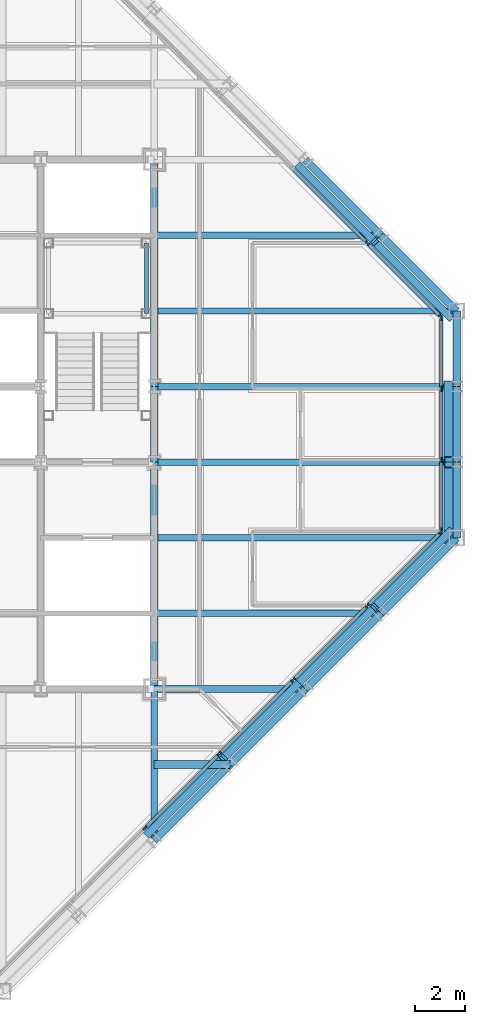
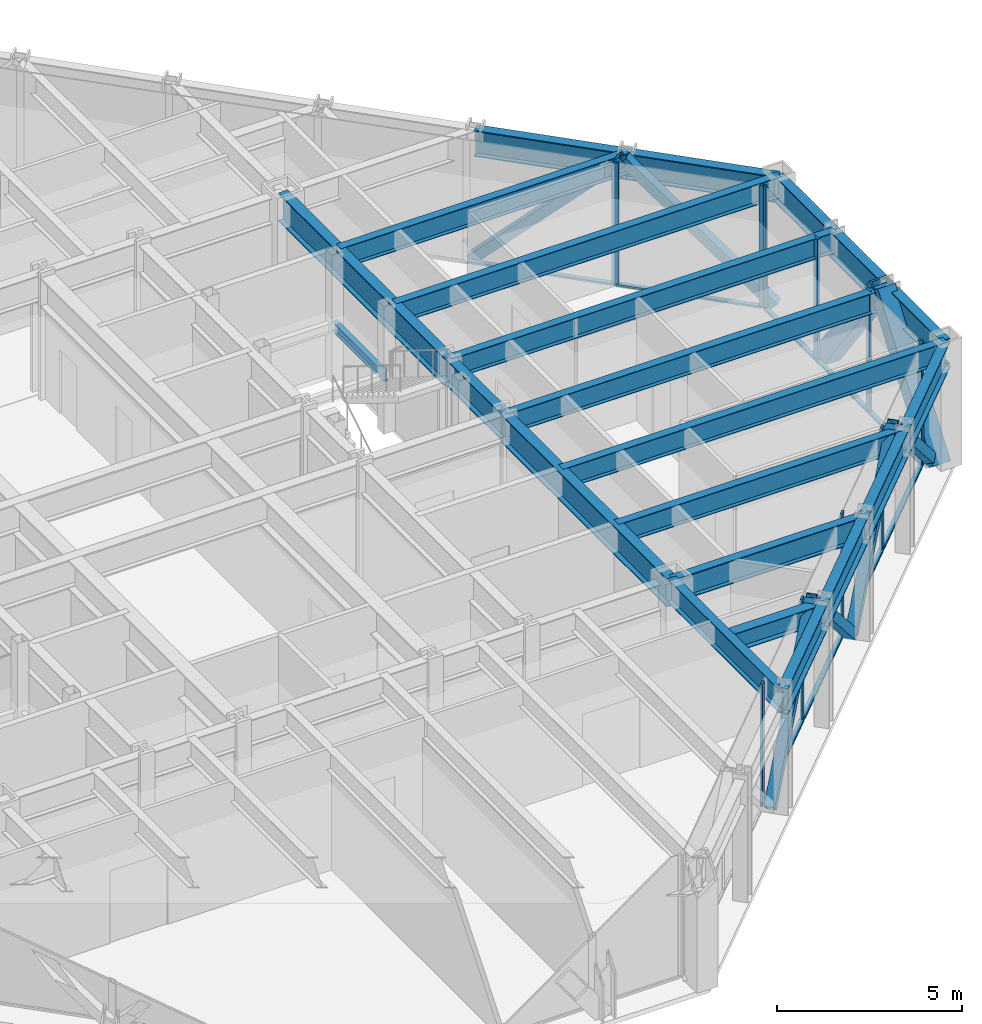
# One storey, part 7 of 15: 28 members, 22 beams, 3 elements without a shape of their own.
"""IFC4 building model written with IfcOpenShell, lengths in metres."""

from ifc_helpers import new_model, si_unit, direction, frame, origin, origin_2d, place, context, subcontext, project, spatial, rectangle, hollow_rectangle, i_section, extrude, material, layer, layer_set, material_profile, profile_set, type_object, element, aggregate, save


model = new_model("IFC4")

# Units and contexts
model_context = context("Model", 3, precision=1e-05, world=origin(), true_north=direction((0.0, 1.0)))
body_context = subcontext(model_context, "Body", "Model", "MODEL_VIEW")
ifc_project = project(units=[si_unit("LENGTHUNIT", "METRE"), si_unit("AREAUNIT", "SQUARE_METRE"), si_unit("VOLUMEUNIT", "CUBIC_METRE"), si_unit("PLANEANGLEUNIT", "RADIAN"), si_unit("MASSUNIT", "GRAM", prefix="KILO")], contexts=[model_context])

# Site, building, storey
site_placement = place(None, origin())
site = spatial("IfcSite", under=ifc_project, at=site_placement, CompositionType="ELEMENT")
building_placement = place(site_placement, origin())
building = spatial("IfcBuilding", under=site, at=building_placement, Name="Chuquiago Exchange Tower", CompositionType="ELEMENT")
storey_placement = place(building_placement, frame((0.0, 0.0, 266.39990234375)))
storey = spatial("IfcBuildingStorey", under=building, at=storey_placement, Name="L59", CompositionType="ELEMENT", Elevation=266.39990234375)

# Beams
ifc_material_1 = material(Name="Steel ASTM A992", Category="steel")
ifc_material_profile_1 = material_profile(ifc_material_1, i_section(OverallWidth=0.25390625, OverallDepth=0.683349609375, WebThickness=0.012451171875, FlangeThickness=0.018798828125, at=origin_2d()), Name="W27X94")
ifc_profile_set_1 = profile_set([ifc_material_profile_1], Name="Steel ASTM A992")
beam_type_1 = type_object("IfcBeamType", Name="B1 W27X94", PredefinedType="BEAM", material=ifc_profile_set_1)
beam_1_placement = place(storey_placement, frame((33.0, 15.0, 3.698486328125), z_axis=(1.0, 0.0, 0.0), x_axis=(0.0, 1.0, 0.0)))
element("IfcBeam", 1, at=beam_1_placement, inside=storey, type_object=beam_type_1, Name="FB-L60-infill-33_15-42_15-0", PredefinedType="BEAM", context=body_context, shape_type="SweptSolid", body=[
    extrude(i_section(OverallWidth=0.25390625, OverallDepth=0.683349609375, WebThickness=0.012451171875, FlangeThickness=0.018798828125, at=origin_2d()), origin(), (0.0, 0.0, 1.0), 9.0),
])
for number, where, z_axis, x_axis, name in (
    (2, (33.0, 18.0, 3.698486328125), (1.0, 0.0, 0.0), (0.0, 1.0, 0.0), "FB-L60-infill-33_18-45_18-0"),
    (3, (33.0, 21.0, 3.698486328125), (1.0, 0.0, 0.0), (0.0, 1.0, 0.0), "FB-L60-infill-33_21-45_21-0"),
    (4, (33.0, 24.0, 3.698486328125), (1.0, 0.0, 0.0), (0.0, 1.0, 0.0), "FB-L60-infill-33_24-45_24-0"),
    (5, (33.0, 27.0, 3.698486328125), (1.0, 0.0, 0.0), (0.0, 1.0, 0.0), "FB-L60-infill-33_27-45_27-0"),
):
    element("IfcBeam", number, at=place(storey_placement, frame(where, z_axis=z_axis, x_axis=x_axis)), inside=storey, type_object=beam_type_1, Name=name, PredefinedType="BEAM", context=body_context, shape_type="SweptSolid", body=[
        extrude(i_section(OverallWidth=0.25390625, OverallDepth=0.683349609375, WebThickness=0.012451171875, FlangeThickness=0.018798828125, at=origin_2d()), origin(), (0.0, 0.0, 1.0), 12.0),
    ])
beam_2_placement = place(storey_placement, frame((33.0, 30.0, 3.698486328125), z_axis=(1.0, 0.0, 0.0), x_axis=(0.0, 1.0, 0.0)))
element("IfcBeam", 6, at=beam_2_placement, inside=storey, type_object=beam_type_1, Name="FB-L60-infill-33_30-42_30-0", PredefinedType="BEAM", context=body_context, shape_type="SweptSolid", body=[
    extrude(i_section(OverallWidth=0.25390625, OverallDepth=0.683349609375, WebThickness=0.012451171875, FlangeThickness=0.018798828125, at=origin_2d()), origin(), (0.0, 0.0, 1.0), 9.0),
])
ifc_material_2 = material(Name="Steel ASTM A992", Category="steel")
ifc_material_profile_2 = material_profile(ifc_material_2, i_section(OverallWidth=0.307373046875, OverallDepth=0.927001953125, WebThickness=0.01953125, FlangeThickness=0.031982421875, at=origin_2d()), Name="W36X194")
ifc_profile_set_2 = profile_set([ifc_material_profile_2], Name="Steel ASTM A992")
beam_type_2 = type_object("IfcBeamType", Name="B10 W36X194", PredefinedType="BEAM", material=ifc_profile_set_2)
for number, where, z_axis, x_axis, name in (
    (7, (33.0, 12.0, 3.576416015625), (0.0, 1.0, 0.0), (-1.0, 0.0, 0.0), "CB-L60-33_12-33_21"),
    (8, (33.0, 24.0, 3.576416015625), (0.0, 1.0, 0.0), (-1.0, 0.0, 0.0), "CB-L60-33_24-33_33"),
):
    element("IfcBeam", number, at=place(storey_placement, frame(where, z_axis=z_axis, x_axis=x_axis)), inside=storey, type_object=beam_type_2, Name=name, PredefinedType="BEAM", context=body_context, shape_type="SweptSolid", body=[
        extrude(i_section(OverallWidth=0.307373046875, OverallDepth=0.927001953125, WebThickness=0.01953125, FlangeThickness=0.031982421875, at=origin_2d()), origin(), (0.0, 0.0, 1.0), 9.0),
    ])
ifc_material_3 = material(Name="Steel ASTM A992", Category="steel")
ifc_material_profile_3 = material_profile(ifc_material_3, i_section(OverallWidth=0.3251953125, OverallDepth=0.612060546875, WebThickness=0.0126953125, FlangeThickness=0.01904296875, at=origin_2d()), Name="W24X104")
ifc_profile_set_3 = profile_set([ifc_material_profile_3], Name="Steel ASTM A992")
beam_type_3 = type_object("IfcBeamType", Name="B2 W24X104", PredefinedType="BEAM", material=ifc_profile_set_3)
beam_3_placement = place(storey_placement, frame((33.0, 9.0, 3.73388671875), z_axis=(1.0, 0.0, 0.0), x_axis=(0.0, 1.0, 0.0)))
element("IfcBeam", 9, at=beam_3_placement, inside=storey, type_object=beam_type_3, Name="FB-L60-corner-33_9-36_9-0", PredefinedType="BEAM", context=body_context, shape_type="SweptSolid", body=[
    extrude(i_section(OverallWidth=0.3251953125, OverallDepth=0.612060546875, WebThickness=0.0126953125, FlangeThickness=0.01904296875, at=origin_2d()), origin(), (0.0, 0.0, 1.0), 3.0),
])
ifc_material_4 = material(Name="Steel ASTM A992", Category="steel")
ifc_material_profile_4 = material_profile(ifc_material_4, i_section(OverallWidth=0.2919921875, OverallDepth=0.8583984375, WebThickness=0.01708984375, FlangeThickness=0.031005859375, at=origin_2d()), Name="W33X169")
ifc_profile_set_4 = profile_set([ifc_material_profile_4], Name="Steel ASTM A992")
beam_type_4 = type_object("IfcBeamType", Name="B3 W33X169", PredefinedType="BEAM", material=ifc_profile_set_4)
beam_4_placement = place(storey_placement, frame((33.0, 21.0, 3.61083984375), z_axis=(0.0, 1.0, 0.0), x_axis=(-1.0, 0.0, 0.0)))
element("IfcBeam", 10, at=beam_4_placement, inside=storey, type_object=beam_type_4, Name="CB-L60-33_21-33_24", PredefinedType="BEAM", context=body_context, shape_type="SweptSolid", body=[
    extrude(i_section(OverallWidth=0.2919921875, OverallDepth=0.8583984375, WebThickness=0.01708984375, FlangeThickness=0.031005859375, at=origin_2d()), origin(), (0.0, 0.0, 1.0), 3.0),
])

# Curtain wall, members
ifc_material_5 = material(Name="Aluminium curtain wall system", Category="aluminium")
ifc_layer_1 = layer(ifc_material_5, 0.22509765625)
ifc_layer_set_1 = layer_set([ifc_layer_1], Name="CW2 office curtain wall")
curtain_wall_type_1 = type_object("IfcCurtainWallType", Name="CW2 office curtain wall", PredefinedType="NOTDEFINED", material=ifc_layer_set_1)
curtain_wall_1_placement = place(storey_placement, origin())
curtain_wall_1 = element("IfcCurtainWall", 11, at=curtain_wall_1_placement, inside=storey, type_object=curtain_wall_type_1, Name="CW2 curtain wall L59", PredefinedType="NOTDEFINED")
ifc_material_6 = material(Name="Aluminium mullion, pale anodised", Category="aluminium")
ifc_material_profile_5 = material_profile(ifc_material_6, rectangle(XDim=0.06494140625, YDim=0.22509765625, at=origin_2d()), Name="AL 65x225")
ifc_profile_set_5 = profile_set([ifc_material_profile_5], Name="Aluminium mullion, pale anodised")
member_type_1 = type_object("IfcMemberType", Name="CW2-M mullion 65x225", PredefinedType="MULLION", material=ifc_profile_set_5)
member_1_placement = place(storey_placement, frame((44.39990234375, 18.281005859375, 0.0), z_axis=(0.0, 0.0, 1.0), x_axis=(-1.0, 0.0, 0.0)))
member_1 = element("IfcMember", 12, at=member_1_placement, type_object=member_type_1, Name="CW2 mullion 1", PredefinedType="MULLION", context=body_context, shape_type="SweptSolid", body=[
    extrude(rectangle(XDim=0.06494140625, YDim=0.22509765625, at=origin_2d()), origin(), (0.0, 0.0, 1.0), 4.0400390625),
])
member_2_placement = place(storey_placement, frame((44.39990234375, 21.082763671875, 0.0), z_axis=(0.0, 0.0, 1.0), x_axis=(-1.0, 0.0, 0.0)))
member_2 = element("IfcMember", 13, at=member_2_placement, type_object=member_type_1, Name="CW2 mullion 2", PredefinedType="MULLION", context=body_context, shape_type="SweptSolid", body=[
    extrude(rectangle(XDim=0.06494140625, YDim=0.22509765625, at=origin_2d()), origin(), (0.0, 0.0, 1.0), 4.0400390625),
])
member_3_placement = place(storey_placement, frame((44.39990234375, 23.917236328125, 0.0), z_axis=(0.0, 0.0, 1.0), x_axis=(-1.0, 0.0, 0.0)))
member_3 = element("IfcMember", 14, at=member_3_placement, type_object=member_type_1, Name="CW2 mullion 3", PredefinedType="MULLION", context=body_context, shape_type="SweptSolid", body=[
    extrude(rectangle(XDim=0.06494140625, YDim=0.22509765625, at=origin_2d()), origin(), (0.0, 0.0, 1.0), 4.0400390625),
])
member_4_placement = place(storey_placement, frame((44.39990234375, 26.718994140625, 0.0), z_axis=(0.0, 0.0, 1.0), x_axis=(-1.0, 0.0, 0.0)))
member_4 = element("IfcMember", 15, at=member_4_placement, type_object=member_type_1, Name="CW2 mullion 4", PredefinedType="MULLION", context=body_context, shape_type="SweptSolid", body=[
    extrude(rectangle(XDim=0.06494140625, YDim=0.22509765625, at=origin_2d()), origin(), (0.0, 0.0, 1.0), 4.0400390625),
])
ifc_material_7 = material(Name="Aluminium transom, pale anodised", Category="aluminium")
ifc_material_profile_6 = material_profile(ifc_material_7, rectangle(XDim=0.139892578125, YDim=0.06494140625, at=origin_2d()), Name="AL 140x65")
ifc_profile_set_6 = profile_set([ifc_material_profile_6], Name="Aluminium transom, pale anodised")
member_type_2 = type_object("IfcMemberType", Name="CW2-T transom 65x140", PredefinedType="MULLION", material=ifc_profile_set_6)
member_5_placement = place(storey_placement, frame((44.39990234375, 18.3134765625, 0.03271484375), z_axis=(0.0, 1.0, 0.0), x_axis=(-1.0, 0.0, 0.0)))
member_5 = element("IfcMember", 16, at=member_5_placement, type_object=member_type_2, Name="CW2 transom 1.1", PredefinedType="MULLION", context=body_context, shape_type="SweptSolid", body=[
    extrude(rectangle(XDim=0.139892578125, YDim=0.06494140625, at=origin_2d()), origin(), (0.0, 0.0, 1.0), 2.73681640625),
])
member_6_placement = place(storey_placement, frame((44.39990234375, 21.115234375, 0.03271484375), z_axis=(0.0, 1.0, 0.0), x_axis=(-1.0, 0.0, 0.0)))
member_6 = element("IfcMember", 17, at=member_6_placement, type_object=member_type_2, Name="CW2 transom 2.1", PredefinedType="MULLION", context=body_context, shape_type="SweptSolid", body=[
    extrude(rectangle(XDim=0.139892578125, YDim=0.06494140625, at=origin_2d()), origin(), (0.0, 0.0, 1.0), 2.76953125),
])
member_7_placement = place(storey_placement, frame((44.39990234375, 23.94970703125, 0.03271484375), z_axis=(0.0, 1.0, 0.0), x_axis=(-1.0, 0.0, 0.0)))
member_7 = element("IfcMember", 18, at=member_7_placement, type_object=member_type_2, Name="CW2 transom 3.1", PredefinedType="MULLION", context=body_context, shape_type="SweptSolid", body=[
    extrude(rectangle(XDim=0.139892578125, YDim=0.06494140625, at=origin_2d()), origin(), (0.0, 0.0, 1.0), 2.73681640625),
])
aggregate(curtain_wall_1, [member_1, member_2, member_3, member_4, member_5, member_6, member_7])

ifc_material_8 = material(Name="Aluminium curtain wall system", Category="aluminium")
ifc_layer_2 = layer(ifc_material_8, 0.199951171875)
ifc_layer_set_2 = layer_set([ifc_layer_2], Name="CW3 facet curtain wall")
curtain_wall_type_2 = type_object("IfcCurtainWallType", Name="CW3 facet curtain wall", PredefinedType="NOTDEFINED", material=ifc_layer_set_2)
curtain_wall_2_placement = place(storey_placement, origin())
curtain_wall_2 = element("IfcCurtainWall", 19, at=curtain_wall_2_placement, inside=storey, type_object=curtain_wall_type_2, Name="CW3 curtain wall L59", PredefinedType="NOTDEFINED")
ifc_material_9 = material(Name="Aluminium mullion, pale anodised", Category="aluminium")
ifc_material_profile_7 = material_profile(ifc_material_9, rectangle(XDim=0.06494140625, YDim=0.199951171875, at=origin_2d()), Name="AL 65x200")
ifc_profile_set_7 = profile_set([ifc_material_profile_7], Name="Aluminium mullion, pale anodised")
member_type_3 = type_object("IfcMemberType", Name="CW3-M mullion 65x200", PredefinedType="MULLION", material=ifc_profile_set_7)
member_8_placement = place(storey_placement, frame((32.63427734375, 6.48291015625, 0.0), z_axis=(0.0, 0.0, 1.0), x_axis=(-0.707106781187, 0.707106781187, 0.0)))
member_8 = element("IfcMember", 20, at=member_8_placement, type_object=member_type_3, Name="CW3 mullion 3", PredefinedType="MULLION", context=body_context, shape_type="SweptSolid", body=[
    extrude(rectangle(XDim=0.06494140625, YDim=0.199951171875, at=origin_2d()), origin(), (0.0, 0.0, 1.0), 4.0400390625),
])
member_9_placement = place(storey_placement, frame((35.57568359375, 9.42431640625, 0.0), z_axis=(0.0, 0.0, 1.0), x_axis=(-0.707106781187, 0.707106781187, 0.0)))
member_9 = element("IfcMember", 21, at=member_9_placement, type_object=member_type_3, Name="CW3 mullion 4", PredefinedType="MULLION", context=body_context, shape_type="SweptSolid", body=[
    extrude(rectangle(XDim=0.06494140625, YDim=0.199951171875, at=origin_2d()), origin(), (0.0, 0.0, 1.0), 4.0400390625),
])
member_10_placement = place(storey_placement, frame((38.51708984375, 12.36572265625, 0.0), z_axis=(0.0, 0.0, 1.0), x_axis=(-0.707106781187, 0.707106781187, 0.0)))
member_10 = element("IfcMember", 22, at=member_10_placement, type_object=member_type_3, Name="CW3 mullion 5", PredefinedType="MULLION", context=body_context, shape_type="SweptSolid", body=[
    extrude(rectangle(XDim=0.06494140625, YDim=0.199951171875, at=origin_2d()), origin(), (0.0, 0.0, 1.0), 4.0400390625),
])
member_11_placement = place(storey_placement, frame((41.45849609375, 15.30712890625, 0.0), z_axis=(0.0, 0.0, 1.0), x_axis=(-0.707106781187, 0.707106781187, 0.0)))
member_11 = element("IfcMember", 23, at=member_11_placement, type_object=member_type_3, Name="CW3 mullion 6", PredefinedType="MULLION", context=body_context, shape_type="SweptSolid", body=[
    extrude(rectangle(XDim=0.06494140625, YDim=0.199951171875, at=origin_2d()), origin(), (0.0, 0.0, 1.0), 4.0400390625),
])
member_12_placement = place(storey_placement, frame((44.376953125, 18.2255859375, 0.0), z_axis=(0.0, 0.0, 1.0), x_axis=(-0.707106781187, 0.707106781187, 0.0)))
member_12 = element("IfcMember", 24, at=member_12_placement, type_object=member_type_3, Name="CW3 mullion 7", PredefinedType="MULLION", context=body_context, shape_type="SweptSolid", body=[
    extrude(rectangle(XDim=0.06494140625, YDim=0.199951171875, at=origin_2d()), origin(), (0.0, 0.0, 1.0), 4.0400390625),
])

curtain_wall_3_placement = place(storey_placement, origin())
curtain_wall_3 = element("IfcCurtainWall", 25, at=curtain_wall_3_placement, inside=storey, type_object=curtain_wall_type_2, Name="CW3 curtain wall L59", PredefinedType="NOTDEFINED")
member_13_placement = place(storey_placement, frame((44.376953125, 26.7744140625, 0.0), z_axis=(0.0, 0.0, 1.0), x_axis=(-0.707106781187, -0.707106781187, 0.0)))
member_13 = element("IfcMember", 26, at=member_13_placement, type_object=member_type_3, Name="CW3 mullion 1", PredefinedType="MULLION", context=body_context, shape_type="SweptSolid", body=[
    extrude(rectangle(XDim=0.06494140625, YDim=0.199951171875, at=origin_2d()), origin(), (0.0, 0.0, 1.0), 4.0400390625),
])
member_14_placement = place(storey_placement, frame((41.45849609375, 29.69287109375, 0.0), z_axis=(0.0, 0.0, 1.0), x_axis=(-0.707106781187, -0.707106781187, 0.0)))
member_14 = element("IfcMember", 27, at=member_14_placement, type_object=member_type_3, Name="CW3 mullion 2", PredefinedType="MULLION", context=body_context, shape_type="SweptSolid", body=[
    extrude(rectangle(XDim=0.06494140625, YDim=0.199951171875, at=origin_2d()), origin(), (0.0, 0.0, 1.0), 4.0400390625),
])

# Member
ifc_material_10 = material(Name="Aluminium transom, pale anodised", Category="aluminium")
ifc_material_profile_8 = material_profile(ifc_material_10, rectangle(XDim=0.139892578125, YDim=0.06494140625, at=origin_2d()), Name="AL 140x65")
ifc_profile_set_8 = profile_set([ifc_material_profile_8], Name="Aluminium transom, pale anodised")
member_type_4 = type_object("IfcMemberType", Name="CW3-T transom 65x140", PredefinedType="MULLION", material=ifc_profile_set_8)
member_15_placement = place(storey_placement, frame((32.6572265625, 6.505859375, 0.03271484375), z_axis=(0.707106781187, 0.707106781187, 0.0), x_axis=(-0.707106781187, 0.707106781187, 0.0)))
member_15 = element("IfcMember", 28, at=member_15_placement, type_object=member_type_4, Name="CW3 transom 3.1", PredefinedType="MULLION", context=body_context, shape_type="SweptSolid", body=[
    extrude(rectangle(XDim=0.139892578125, YDim=0.06494140625, at=origin_2d()), origin(), (0.0, 0.0, 1.0), 4.094970703125),
])

member_16_placement = place(storey_placement, frame((35.5986328125, 9.447265625, 0.03271484375), z_axis=(0.707106781187, 0.707106781187, 0.0), x_axis=(-0.707106781187, 0.707106781187, 0.0)))
member_16 = element("IfcMember", 29, at=member_16_placement, type_object=member_type_4, Name="CW3 transom 4.1", PredefinedType="MULLION", context=body_context, shape_type="SweptSolid", body=[
    extrude(rectangle(XDim=0.139892578125, YDim=0.06494140625, at=origin_2d()), origin(), (0.0, 0.0, 1.0), 4.094970703125),
])

member_17_placement = place(storey_placement, frame((38.5400390625, 12.388671875, 0.03271484375), z_axis=(0.707106781187, 0.707106781187, 0.0), x_axis=(-0.707106781187, 0.707106781187, 0.0)))
member_17 = element("IfcMember", 30, at=member_17_placement, type_object=member_type_4, Name="CW3 transom 5.1", PredefinedType="MULLION", context=body_context, shape_type="SweptSolid", body=[
    extrude(rectangle(XDim=0.139892578125, YDim=0.06494140625, at=origin_2d()), origin(), (0.0, 0.0, 1.0), 4.094970703125),
])

member_18_placement = place(storey_placement, frame((41.4814453125, 15.330078125, 0.03271484375), z_axis=(0.707106781187, 0.707106781187, 0.0), x_axis=(-0.707106781187, 0.707106781187, 0.0)))
member_18 = element("IfcMember", 31, at=member_18_placement, type_object=member_type_4, Name="CW3 transom 6.1", PredefinedType="MULLION", context=body_context, shape_type="SweptSolid", body=[
    extrude(rectangle(XDim=0.139892578125, YDim=0.06494140625, at=origin_2d()), origin(), (0.0, 0.0, 1.0), 4.0625),
])

aggregate(curtain_wall_2, [member_8, member_9, member_10, member_11, member_12, member_15, member_16, member_17, member_18])

member_19_placement = place(storey_placement, frame((44.35400390625, 26.79736328125, 0.03271484375), z_axis=(-0.707106781187, 0.707106781187, 0.0), x_axis=(-0.707106781187, -0.707106781187, 0.0)))
member_19 = element("IfcMember", 32, at=member_19_placement, type_object=member_type_4, Name="CW3 transom 1.1", PredefinedType="MULLION", context=body_context, shape_type="SweptSolid", body=[
    extrude(rectangle(XDim=0.139892578125, YDim=0.06494140625, at=origin_2d()), origin(), (0.0, 0.0, 1.0), 4.0625),
])

member_20_placement = place(storey_placement, frame((41.435546875, 29.7158203125, 0.03271484375), z_axis=(-0.707106781187, 0.707106781187, 0.0), x_axis=(-0.707106781187, -0.707106781187, 0.0)))
member_20 = element("IfcMember", 33, at=member_20_placement, type_object=member_type_4, Name="CW3 transom 2.1", PredefinedType="MULLION", context=body_context, shape_type="SweptSolid", body=[
    extrude(rectangle(XDim=0.139892578125, YDim=0.06494140625, at=origin_2d()), origin(), (0.0, 0.0, 1.0), 4.094970703125),
])

aggregate(curtain_wall_3, [member_13, member_14, member_19, member_20])

# Beams
ifc_material_11 = material(Name="Steel ASTM A992", Category="steel")
ifc_material_profile_9 = material_profile(ifc_material_11, i_section(OverallWidth=0.2666015625, OverallDepth=0.76953125, WebThickness=0.015625, FlangeThickness=0.025390625, at=origin_2d()), Name="W30X132")
ifc_profile_set_9 = profile_set([ifc_material_profile_9], Name="Steel ASTM A992")
beam_type_5 = type_object("IfcBeamType", Name="G1 W30X132", PredefinedType="BEAM", material=ifc_profile_set_9)
for number, where, z_axis, x_axis, name in (
    (34, (33.0, 12.0, 3.6552734375), (0.0, -1.0, 0.0), (1.0, 0.0, 0.0), "FB-L60-girder-33_12-33_6-0"),
    (35, (33.0, 12.0, 3.6552734375), (1.0, 0.0, 0.0), (0.0, 1.0, 0.0), "FB-L60-girder-33_12-39_12-0"),
):
    element("IfcBeam", number, at=place(storey_placement, frame(where, z_axis=z_axis, x_axis=x_axis)), inside=storey, type_object=beam_type_5, Name=name, PredefinedType="BEAM", context=body_context, shape_type="SweptSolid", body=[
        extrude(i_section(OverallWidth=0.2666015625, OverallDepth=0.76953125, WebThickness=0.015625, FlangeThickness=0.025390625, at=origin_2d()), origin(), (0.0, 0.0, 1.0), 6.0),
    ])

# Members
ifc_material_12 = material(Name="Steel ASTM A500 Grade C", Category="steel")
ifc_material_profile_10 = material_profile(ifc_material_12, hollow_rectangle(XDim=0.3046875, YDim=0.3046875, WallThickness=0.0146484375, at=origin_2d()), Name="HSS12X12X5/8")
ifc_profile_set_10 = profile_set([ifc_material_profile_10], Name="Steel ASTM A500 Grade C")
member_type_5 = type_object("IfcMemberType", Name="LB3 HSS12X12X5/8", PredefinedType="BRACE", material=ifc_profile_set_10)
for number, where, z_axis, x_axis, name in (
    (36, (32.750732421875, 6.249267578125, 0.0), (0.512077265487, 0.512077265487, 0.689604051861), (-0.707106781187, 0.707106781187, 0.0), "LB-L59-33_6-36_9"),
    (37, (38.750732421875, 12.249267578125, 0.0), (-0.512077265487, -0.512077265487, 0.689604051861), (0.707106781187, -0.707106781187, 0.0), "LB-L59-36_9-39_12"),
    (38, (38.750732421875, 12.249267578125, 0.0), (0.512077265487, 0.512077265487, 0.689604051861), (-0.707106781187, 0.707106781187, 0.0), "LB-L59-39_12-42_15"),
    (39, (44.750732421875, 18.249267578125, 0.0), (-0.512077265487, -0.512077265487, 0.689604051861), (0.707106781187, -0.707106781187, 0.0), "LB-L59-42_15-45_18"),
    (40, (44.750732421875, 26.750732421875, 0.0), (-0.512077265487, 0.512077265487, 0.689604051861), (-0.707106781187, -0.707106781187, 0.0), "LB-L59-45_27-42_30"),
    (41, (38.750732421875, 32.750732421875, 0.0), (0.512077265487, -0.512077265487, 0.689604051861), (0.707106781187, 0.707106781187, 0.0), "LB-L59-42_30-39_33"),
):
    element("IfcMember", number, at=place(storey_placement, frame(where, z_axis=z_axis, x_axis=x_axis)), inside=storey, type_object=member_type_5, Name=name, PredefinedType="BRACE", context=body_context, shape_type="SweptSolid", body=[
        extrude(hollow_rectangle(XDim=0.3046875, YDim=0.3046875, WallThickness=0.0146484375, at=origin_2d()), origin(), (0.0, 0.0, 1.0), 5.8583984375),
    ])

# Beam
ifc_material_13 = material(Name="Steel ASTM A992", Category="steel")
ifc_material_profile_11 = material_profile(ifc_material_13, i_section(OverallWidth=0.164794921875, OverallDepth=0.309814453125, WebThickness=0.005859375, FlangeThickness=0.009765625, at=origin_2d()), Name="W12X26")
ifc_profile_set_11 = profile_set([ifc_material_profile_11], Name="Steel ASTM A992")
beam_type_6 = type_object("IfcBeamType", Name="LS1 W12X26", PredefinedType="BEAM", material=ifc_profile_set_11)
beam_5_placement = place(storey_placement, frame((32.68994140625, 26.889892578125, 1.7451171875), z_axis=(0.0, 1.0, 0.0), x_axis=(-1.0, 0.0, 0.0)))
element("IfcBeam", 42, at=beam_5_placement, inside=storey, type_object=beam_type_6, Name="Stair ST2 L59 landing 1 stringer", PredefinedType="BEAM", context=body_context, shape_type="SweptSolid", body=[
    extrude(i_section(OverallWidth=0.164794921875, OverallDepth=0.309814453125, WebThickness=0.005859375, FlangeThickness=0.009765625, at=origin_2d()), origin(), (0.0, 0.0, 1.0), 2.800048828125),
])

# Members
ifc_material_14 = material(Name="Steel ASTM A572 Grade 50", Category="steel")
ifc_material_profile_12 = material_profile(ifc_material_14, hollow_rectangle(XDim=0.550048828125, YDim=0.550048828125, WallThickness=0.044921875, at=origin_2d()), Name="BOX550X550X45")
ifc_profile_set_12 = profile_set([ifc_material_profile_12], Name="Steel ASTM A572 Grade 50")
member_type_6 = type_object("IfcMemberType", Name="MB4 BOX550X550X45", PredefinedType="BRACE", material=ifc_profile_set_12)
for number, where, z_axis, x_axis, name in (
    (43, (44.77001953125, 18.0, 0.0), (0.0, 0.596173923302, 0.802855312728), (-1.0, 0.0, 0.0), "Mega diagonal L59 E face"),
    (44, (44.77001953125, 24.0, 0.0), (0.0, -0.596173923302, 0.802855312728), (1.0, 0.0, 0.0), "Mega diagonal L59 E face"),
):
    element("IfcMember", number, at=place(storey_placement, frame(where, z_axis=z_axis, x_axis=x_axis)), inside=storey, type_object=member_type_6, Name=name, PredefinedType="BRACE", context=body_context, shape_type="SweptSolid", body=[
        extrude(hollow_rectangle(XDim=0.550048828125, YDim=0.550048828125, WallThickness=0.044921875, at=origin_2d()), origin(), (0.0, 0.0, 1.0), 5.031982421875),
    ])

# Beams
ifc_material_15 = material(Name="Steel ASTM A992", Category="steel")
ifc_material_profile_13 = material_profile(ifc_material_15, i_section(OverallWidth=0.2919921875, OverallDepth=0.8583984375, WebThickness=0.01708984375, FlangeThickness=0.031005859375, at=origin_2d()), Name="W33X169")
ifc_profile_set_13 = profile_set([ifc_material_profile_13], Name="Steel ASTM A992")
beam_type_7 = type_object("IfcBeamType", Name="SP4 W33X169", PredefinedType="SPANDREL", material=ifc_profile_set_13)
for number, where, z_axis, x_axis, name in (
    (45, (33.0, 6.0, 3.61083984375), (0.707106781187, 0.707106781187, 0.0), (-0.707106781187, 0.707106781187, 0.0), "SPB-L60-33_6-36_9"),
    (46, (36.0, 9.0, 3.61083984375), (0.707106781187, 0.707106781187, 0.0), (-0.707106781187, 0.707106781187, 0.0), "SPB-L60-36_9-39_12"),
    (47, (39.0, 12.0, 3.61083984375), (0.707106781187, 0.707106781187, 0.0), (-0.707106781187, 0.707106781187, 0.0), "SPB-L60-39_12-42_15"),
    (48, (42.0, 15.0, 3.61083984375), (0.707106781187, 0.707106781187, 0.0), (-0.707106781187, 0.707106781187, 0.0), "SPB-L60-42_15-45_18"),
):
    element("IfcBeam", number, at=place(storey_placement, frame(where, z_axis=z_axis, x_axis=x_axis)), inside=storey, type_object=beam_type_7, Name=name, PredefinedType="SPANDREL", context=body_context, shape_type="SweptSolid", body=[
        extrude(i_section(OverallWidth=0.2919921875, OverallDepth=0.8583984375, WebThickness=0.01708984375, FlangeThickness=0.031005859375, at=origin_2d()), origin(), (0.0, 0.0, 1.0), 4.24267578125),
    ])
for number, where, z_axis, x_axis, name in (
    (49, (45.0, 18.0, 3.61083984375), (0.0, 1.0, 0.0), (-1.0, 0.0, 0.0), "SPB-L60-45_18-45_21"),
    (50, (45.0, 21.0, 3.61083984375), (0.0, 1.0, 0.0), (-1.0, 0.0, 0.0), "SPB-L60-45_21-45_24"),
    (51, (45.0, 24.0, 3.61083984375), (0.0, 1.0, 0.0), (-1.0, 0.0, 0.0), "SPB-L60-45_24-45_27"),
):
    element("IfcBeam", number, at=place(storey_placement, frame(where, z_axis=z_axis, x_axis=x_axis)), inside=storey, type_object=beam_type_7, Name=name, PredefinedType="SPANDREL", context=body_context, shape_type="SweptSolid", body=[
        extrude(i_section(OverallWidth=0.2919921875, OverallDepth=0.8583984375, WebThickness=0.01708984375, FlangeThickness=0.031005859375, at=origin_2d()), origin(), (0.0, 0.0, 1.0), 3.0),
    ])
for number, where, z_axis, x_axis, name in (
    (52, (45.0, 27.0, 3.61083984375), (-0.707106781187, 0.707106781187, 0.0), (-0.707106781187, -0.707106781187, 0.0), "SPB-L60-45_27-42_30"),
    (53, (42.0, 30.0, 3.61083984375), (-0.707106781187, 0.707106781187, 0.0), (-0.707106781187, -0.707106781187, 0.0), "SPB-L60-42_30-39_33"),
):
    element("IfcBeam", number, at=place(storey_placement, frame(where, z_axis=z_axis, x_axis=x_axis)), inside=storey, type_object=beam_type_7, Name=name, PredefinedType="SPANDREL", context=body_context, shape_type="SweptSolid", body=[
        extrude(i_section(OverallWidth=0.2919921875, OverallDepth=0.8583984375, WebThickness=0.01708984375, FlangeThickness=0.031005859375, at=origin_2d()), origin(), (0.0, 0.0, 1.0), 4.24267578125),
    ])

save(model, "model.ifc")
